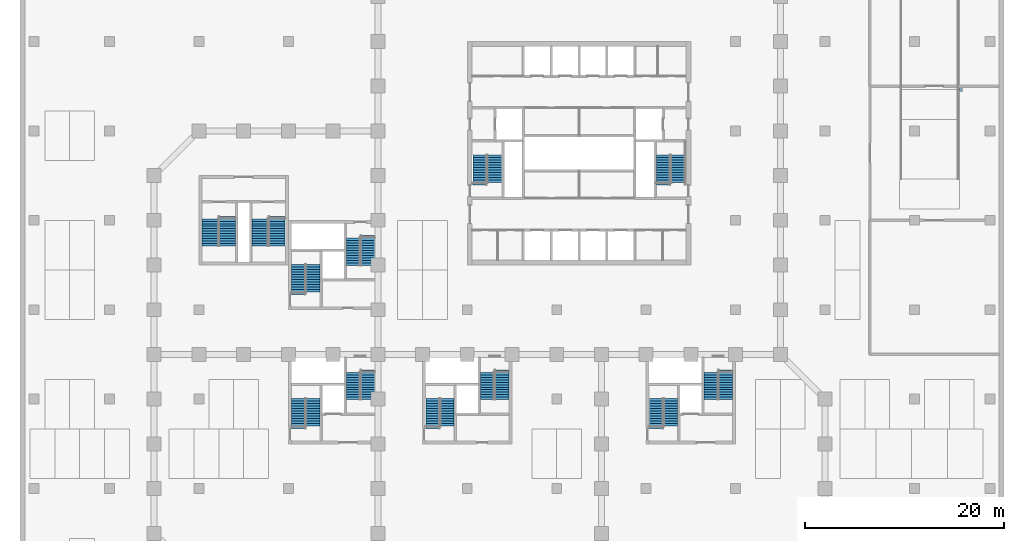
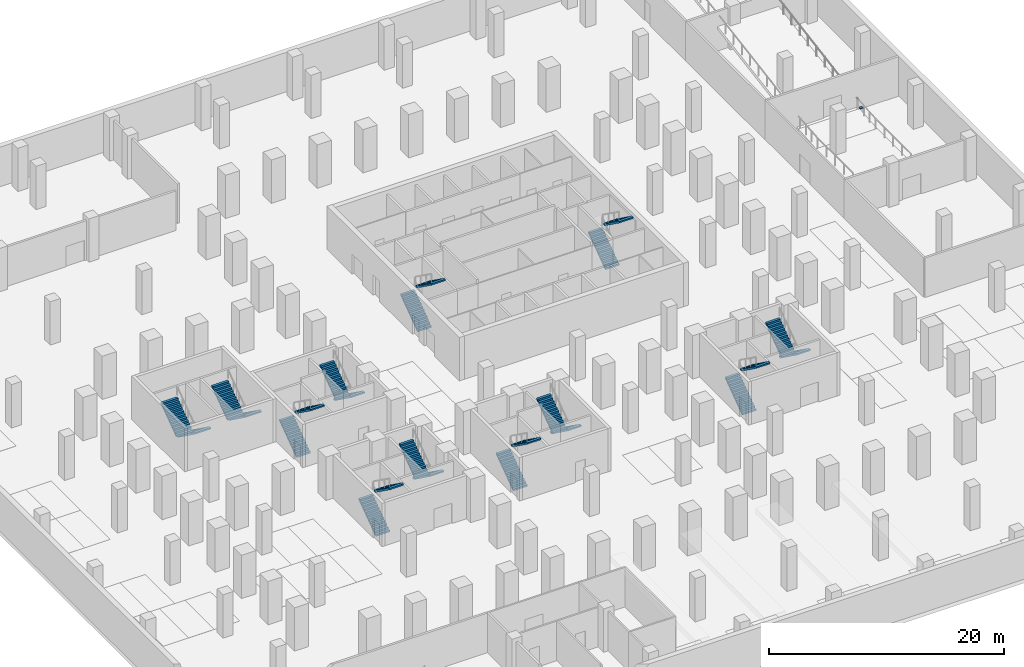
# One storey, part 14 of 16: 24 stair flights, 1 discrete accessory, 12 elements without a shape of their own.
"""IFC4 building model written with IfcOpenShell, lengths in metres."""

from ifc_helpers import new_model, si_unit, direction, frame, origin, origin_2d, place, context, subcontext, project, spatial, polyline, rectangle, outline, extrude, material, type_object, element, aggregate, save


model = new_model("IFC4")

# Units and contexts
model_context = context("Model", 3, precision=1e-05, world=origin(), true_north=direction((0.0, 1.0)))
body_context = subcontext(model_context, "Body", "Model", "MODEL_VIEW")
ifc_project = project(units=[si_unit("LENGTHUNIT", "METRE"), si_unit("AREAUNIT", "SQUARE_METRE"), si_unit("VOLUMEUNIT", "CUBIC_METRE"), si_unit("PLANEANGLEUNIT", "RADIAN"), si_unit("MASSUNIT", "GRAM", prefix="KILO")], contexts=[model_context])

# Site, building, storey
site_placement = place(None, origin())
site = spatial("IfcSite", under=ifc_project, at=site_placement, CompositionType="ELEMENT")
building_placement = place(site_placement, origin())
building = spatial("IfcBuilding", under=site, at=building_placement, Name="Quoin Convention Tower", CompositionType="ELEMENT")
storey_placement = place(building_placement, frame((0.0, 0.0, -4.5)))
storey = spatial("IfcBuildingStorey", under=building, at=storey_placement, Name="B1", CompositionType="ELEMENT", Elevation=-4.5)

# Stair, stair flights
ifc_material_1 = material(Name="Concrete C40", Category="concrete")
stair_type_1 = type_object("IfcStairType", Name="Exit stair two-flight 1350", PredefinedType="HALF_TURN_STAIR", material=ifc_material_1)
stair_1_placement = place(storey_placement, origin())
stair_1 = element("IfcStair", 1, at=stair_1_placement, inside=storey, type_object=stair_type_1, Name="SD1 B1", PredefinedType="HALF_TURN_STAIR")
stair_flight_type_1 = type_object("IfcStairFlightType", Name="Stair flight 1350", PredefinedType="STRAIGHT", material=ifc_material_1)
stair_flight_1_placement = place(storey_placement, frame((46.25, 57.550048828125, 0.0), z_axis=(0.0, 0.0, 1.0), x_axis=(0.0, 1.0, 0.0)))
stair_flight_1 = element("IfcStairFlight", 2, at=stair_flight_1_placement, type_object=stair_flight_type_1, Name="ST1 flight 1", NumberOfRisers=13, NumberOfTreads=12, PredefinedType="STRAIGHT", RiserHeight=0.18, TreadLength=0.25, context=body_context, shape_type="SweptSolid", body=[
    extrude(outline(polyline([(0.0, 0.0), (0.0, 0.179931640625), (0.25, 0.179931640625), (0.25, 0.360107421875), (0.5, 0.360107421875), (0.5, 0.5400390625), (0.75, 0.5400390625), (0.75, 0.719970703125), (1.0, 0.719970703125), (1.0, 0.89990234375), (1.25, 0.89990234375), (1.25, 1.080078125), (1.5, 1.080078125), (1.5, 1.260009765625), (1.75, 1.260009765625), (1.75, 1.43994140625), (2.0, 1.43994140625), (2.0, 1.6201171875), (2.25, 1.6201171875), (2.25, 1.800048828125), (2.5, 1.800048828125), (2.5, 1.97998046875), (2.75, 1.97998046875), (2.75, 2.159912109375), (3.0, 2.159912109375), (3.0, 2.340087890625), (3.0, 2.011962890625), (0.20556640625, 0.0), (0.0, 0.0)])), frame((0.0, 0.675048828125, 0.0), z_axis=(0.0, -1.0, 0.0), x_axis=(1.0, 0.0, 0.0)), (0.0, 0.0, 1.0), 1.35009765625),
])
stair_flight_2_placement = place(storey_placement, frame((47.75, 60.550048828125, 2.340087890625), z_axis=(0.0, 0.0, 1.0), x_axis=(0.0, -1.0, 0.0)))
stair_flight_2 = element("IfcStairFlight", 3, at=stair_flight_2_placement, type_object=stair_flight_type_1, Name="ST1 flight 2", NumberOfRisers=12, NumberOfTreads=11, PredefinedType="STRAIGHT", RiserHeight=0.18, TreadLength=0.25, context=body_context, shape_type="SweptSolid", body=[
    extrude(outline(polyline([(0.0, 0.0), (0.0, 0.179931640625), (0.25, 0.179931640625), (0.25, 0.360107421875), (0.5, 0.360107421875), (0.5, 0.5400390625), (0.75, 0.5400390625), (0.75, 0.719970703125), (1.0, 0.719970703125), (1.0, 0.89990234375), (1.25, 0.89990234375), (1.25, 1.080078125), (1.5, 1.080078125), (1.5, 1.260009765625), (1.75, 1.260009765625), (1.75, 1.43994140625), (2.0, 1.43994140625), (2.0, 1.6201171875), (2.25, 1.6201171875), (2.25, 1.800048828125), (2.5, 1.800048828125), (2.5, 1.97998046875), (2.75, 1.97998046875), (2.75, 2.159912109375), (2.75, 1.83203125), (0.20556640625, 0.0), (0.0, 0.0)])), frame((0.0, 0.675048828125, 0.0), z_axis=(0.0, -1.0, 0.0), x_axis=(1.0, 0.0, 0.0)), (0.0, 0.0, 1.0), 1.35009765625),
])
aggregate(stair_1, [stair_flight_1, stair_flight_2])

stair_2_placement = place(storey_placement, origin())
stair_2 = element("IfcStair", 4, at=stair_2_placement, inside=storey, type_object=stair_type_1, Name="SD2 B1", PredefinedType="HALF_TURN_STAIR")
stair_flight_3_placement = place(storey_placement, frame((64.699951171875, 57.550048828125, 0.0), z_axis=(0.0, 0.0, 1.0), x_axis=(0.0, 1.0, 0.0)))
stair_flight_3 = element("IfcStairFlight", 5, at=stair_flight_3_placement, type_object=stair_flight_type_1, Name="ST2 flight 1", NumberOfRisers=13, NumberOfTreads=12, PredefinedType="STRAIGHT", RiserHeight=0.18, TreadLength=0.25, context=body_context, shape_type="SweptSolid", body=[
    extrude(outline(polyline([(0.0, 0.0), (0.0, 0.179931640625), (0.25, 0.179931640625), (0.25, 0.360107421875), (0.5, 0.360107421875), (0.5, 0.5400390625), (0.75, 0.5400390625), (0.75, 0.719970703125), (1.0, 0.719970703125), (1.0, 0.89990234375), (1.25, 0.89990234375), (1.25, 1.080078125), (1.5, 1.080078125), (1.5, 1.260009765625), (1.75, 1.260009765625), (1.75, 1.43994140625), (2.0, 1.43994140625), (2.0, 1.6201171875), (2.25, 1.6201171875), (2.25, 1.800048828125), (2.5, 1.800048828125), (2.5, 1.97998046875), (2.75, 1.97998046875), (2.75, 2.159912109375), (3.0, 2.159912109375), (3.0, 2.340087890625), (3.0, 2.011962890625), (0.20556640625, 0.0), (0.0, 0.0)])), frame((0.0, 0.675048828125, 0.0), z_axis=(0.0, -1.0, 0.0), x_axis=(1.0, 0.0, 0.0)), (0.0, 0.0, 1.0), 1.35009765625),
])
stair_flight_4_placement = place(storey_placement, frame((66.199951171875, 60.550048828125, 2.340087890625), z_axis=(0.0, 0.0, 1.0), x_axis=(0.0, -1.0, 0.0)))
stair_flight_4 = element("IfcStairFlight", 6, at=stair_flight_4_placement, type_object=stair_flight_type_1, Name="ST2 flight 2", NumberOfRisers=12, NumberOfTreads=11, PredefinedType="STRAIGHT", RiserHeight=0.18, TreadLength=0.25, context=body_context, shape_type="SweptSolid", body=[
    extrude(outline(polyline([(0.0, 0.0), (0.0, 0.179931640625), (0.25, 0.179931640625), (0.25, 0.360107421875), (0.5, 0.360107421875), (0.5, 0.5400390625), (0.75, 0.5400390625), (0.75, 0.719970703125), (1.0, 0.719970703125), (1.0, 0.89990234375), (1.25, 0.89990234375), (1.25, 1.080078125), (1.5, 1.080078125), (1.5, 1.260009765625), (1.75, 1.260009765625), (1.75, 1.43994140625), (2.0, 1.43994140625), (2.0, 1.6201171875), (2.25, 1.6201171875), (2.25, 1.800048828125), (2.5, 1.800048828125), (2.5, 1.97998046875), (2.75, 1.97998046875), (2.75, 2.159912109375), (2.75, 1.83203125), (0.20556640625, 0.0), (0.0, 0.0)])), frame((0.0, 0.675048828125, 0.0), z_axis=(0.0, -1.0, 0.0), x_axis=(1.0, 0.0, 0.0)), (0.0, 0.0, 1.0), 1.35009765625),
])
aggregate(stair_2, [stair_flight_3, stair_flight_4])

stair_3_placement = place(storey_placement, origin())
stair_3 = element("IfcStair", 7, at=stair_3_placement, inside=storey, type_object=stair_type_1, Name="SD3 B1", PredefinedType="HALF_TURN_STAIR")
stair_flight_5_placement = place(storey_placement, frame((28.0, 46.550048828125, 0.0), z_axis=(0.0, 0.0, 1.0), x_axis=(0.0, 1.0, 0.0)))
stair_flight_5 = element("IfcStairFlight", 8, at=stair_flight_5_placement, type_object=stair_flight_type_1, Name="ST3 flight 1", NumberOfRisers=13, NumberOfTreads=12, PredefinedType="STRAIGHT", RiserHeight=0.18, TreadLength=0.25, context=body_context, shape_type="SweptSolid", body=[
    extrude(outline(polyline([(0.0, 0.0), (0.0, 0.179931640625), (0.25, 0.179931640625), (0.25, 0.360107421875), (0.5, 0.360107421875), (0.5, 0.5400390625), (0.75, 0.5400390625), (0.75, 0.719970703125), (1.0, 0.719970703125), (1.0, 0.89990234375), (1.25, 0.89990234375), (1.25, 1.080078125), (1.5, 1.080078125), (1.5, 1.260009765625), (1.75, 1.260009765625), (1.75, 1.43994140625), (2.0, 1.43994140625), (2.0, 1.6201171875), (2.25, 1.6201171875), (2.25, 1.800048828125), (2.5, 1.800048828125), (2.5, 1.97998046875), (2.75, 1.97998046875), (2.75, 2.159912109375), (3.0, 2.159912109375), (3.0, 2.340087890625), (3.0, 2.011962890625), (0.20556640625, 0.0), (0.0, 0.0)])), frame((0.0, 0.675048828125, 0.0), z_axis=(0.0, -1.0, 0.0), x_axis=(1.0, 0.0, 0.0)), (0.0, 0.0, 1.0), 1.35009765625),
])
stair_flight_6_placement = place(storey_placement, frame((29.5, 49.550048828125, 2.340087890625), z_axis=(0.0, 0.0, 1.0), x_axis=(0.0, -1.0, 0.0)))
stair_flight_6 = element("IfcStairFlight", 9, at=stair_flight_6_placement, type_object=stair_flight_type_1, Name="ST3 flight 2", NumberOfRisers=12, NumberOfTreads=11, PredefinedType="STRAIGHT", RiserHeight=0.18, TreadLength=0.25, context=body_context, shape_type="SweptSolid", body=[
    extrude(outline(polyline([(0.0, 0.0), (0.0, 0.179931640625), (0.25, 0.179931640625), (0.25, 0.360107421875), (0.5, 0.360107421875), (0.5, 0.5400390625), (0.75, 0.5400390625), (0.75, 0.719970703125), (1.0, 0.719970703125), (1.0, 0.89990234375), (1.25, 0.89990234375), (1.25, 1.080078125), (1.5, 1.080078125), (1.5, 1.260009765625), (1.75, 1.260009765625), (1.75, 1.43994140625), (2.0, 1.43994140625), (2.0, 1.6201171875), (2.25, 1.6201171875), (2.25, 1.800048828125), (2.5, 1.800048828125), (2.5, 1.97998046875), (2.75, 1.97998046875), (2.75, 2.159912109375), (2.75, 1.83203125), (0.20556640625, 0.0), (0.0, 0.0)])), frame((0.0, 0.675048828125, 0.0), z_axis=(0.0, -1.0, 0.0), x_axis=(1.0, 0.0, 0.0)), (0.0, 0.0, 1.0), 1.35009765625),
])
aggregate(stair_3, [stair_flight_5, stair_flight_6])

stair_4_placement = place(storey_placement, origin())
stair_4 = element("IfcStair", 10, at=stair_4_placement, inside=storey, type_object=stair_type_1, Name="SD4 B1", PredefinedType="HALF_TURN_STAIR")
stair_flight_7_placement = place(storey_placement, frame((35.0, 52.449951171875, 0.0), z_axis=(0.0, 0.0, 1.0), x_axis=(0.0, -1.0, 0.0)))
stair_flight_7 = element("IfcStairFlight", 11, at=stair_flight_7_placement, type_object=stair_flight_type_1, Name="ST4 flight 1", NumberOfRisers=13, NumberOfTreads=12, PredefinedType="STRAIGHT", RiserHeight=0.18, TreadLength=0.25, context=body_context, shape_type="SweptSolid", body=[
    extrude(outline(polyline([(0.0, 0.0), (0.0, 0.179931640625), (0.25, 0.179931640625), (0.25, 0.360107421875), (0.5, 0.360107421875), (0.5, 0.5400390625), (0.75, 0.5400390625), (0.75, 0.719970703125), (1.0, 0.719970703125), (1.0, 0.89990234375), (1.25, 0.89990234375), (1.25, 1.080078125), (1.5, 1.080078125), (1.5, 1.260009765625), (1.75, 1.260009765625), (1.75, 1.43994140625), (2.0, 1.43994140625), (2.0, 1.6201171875), (2.25, 1.6201171875), (2.25, 1.800048828125), (2.5, 1.800048828125), (2.5, 1.97998046875), (2.75, 1.97998046875), (2.75, 2.159912109375), (3.0, 2.159912109375), (3.0, 2.340087890625), (3.0, 2.011962890625), (0.20556640625, 0.0), (0.0, 0.0)])), frame((0.0, 0.675048828125, 0.0), z_axis=(0.0, -1.0, 0.0), x_axis=(1.0, 0.0, 0.0)), (0.0, 0.0, 1.0), 1.35009765625),
])
stair_flight_8_placement = place(storey_placement, frame((33.5, 49.449951171875, 2.340087890625), z_axis=(0.0, 0.0, 1.0), x_axis=(0.0, 1.0, 0.0)))
stair_flight_8 = element("IfcStairFlight", 12, at=stair_flight_8_placement, type_object=stair_flight_type_1, Name="ST4 flight 2", NumberOfRisers=12, NumberOfTreads=11, PredefinedType="STRAIGHT", RiserHeight=0.18, TreadLength=0.25, context=body_context, shape_type="SweptSolid", body=[
    extrude(outline(polyline([(0.0, 0.0), (0.0, 0.179931640625), (0.25, 0.179931640625), (0.25, 0.360107421875), (0.5, 0.360107421875), (0.5, 0.5400390625), (0.75, 0.5400390625), (0.75, 0.719970703125), (1.0, 0.719970703125), (1.0, 0.89990234375), (1.25, 0.89990234375), (1.25, 1.080078125), (1.5, 1.080078125), (1.5, 1.260009765625), (1.75, 1.260009765625), (1.75, 1.43994140625), (2.0, 1.43994140625), (2.0, 1.6201171875), (2.25, 1.6201171875), (2.25, 1.800048828125), (2.5, 1.800048828125), (2.5, 1.97998046875), (2.75, 1.97998046875), (2.75, 2.159912109375), (2.75, 1.83203125), (0.20556640625, 0.0), (0.0, 0.0)])), frame((0.0, 0.675048828125, 0.0), z_axis=(0.0, -1.0, 0.0), x_axis=(1.0, 0.0, 0.0)), (0.0, 0.0, 1.0), 1.35009765625),
])
aggregate(stair_4, [stair_flight_7, stair_flight_8])

stair_5_placement = place(storey_placement, origin())
stair_5 = element("IfcStair", 13, at=stair_5_placement, inside=storey, type_object=stair_type_1, Name="SD5 B1", PredefinedType="HALF_TURN_STAIR")
stair_flight_9_placement = place(storey_placement, frame((41.5, 33.050048828125, 0.0), z_axis=(0.0, 0.0, 1.0), x_axis=(0.0, 1.0, 0.0)))
stair_flight_9 = element("IfcStairFlight", 14, at=stair_flight_9_placement, type_object=stair_flight_type_1, Name="ST5 flight 1", NumberOfRisers=13, NumberOfTreads=12, PredefinedType="STRAIGHT", RiserHeight=0.18, TreadLength=0.25, context=body_context, shape_type="SweptSolid", body=[
    extrude(outline(polyline([(0.0, 0.0), (0.0, 0.179931640625), (0.25, 0.179931640625), (0.25, 0.360107421875), (0.5, 0.360107421875), (0.5, 0.5400390625), (0.75, 0.5400390625), (0.75, 0.719970703125), (1.0, 0.719970703125), (1.0, 0.89990234375), (1.25, 0.89990234375), (1.25, 1.080078125), (1.5, 1.080078125), (1.5, 1.260009765625), (1.75, 1.260009765625), (1.75, 1.43994140625), (2.0, 1.43994140625), (2.0, 1.6201171875), (2.25, 1.6201171875), (2.25, 1.800048828125), (2.5, 1.800048828125), (2.5, 1.97998046875), (2.75, 1.97998046875), (2.75, 2.159912109375), (3.0, 2.159912109375), (3.0, 2.340087890625), (3.0, 2.011962890625), (0.20556640625, 0.0), (0.0, 0.0)])), frame((0.0, 0.675048828125, 0.0), z_axis=(0.0, -1.0, 0.0), x_axis=(1.0, 0.0, 0.0)), (0.0, 0.0, 1.0), 1.35009765625),
])
stair_flight_10_placement = place(storey_placement, frame((43.0, 36.050048828125, 2.340087890625), z_axis=(0.0, 0.0, 1.0), x_axis=(0.0, -1.0, 0.0)))
stair_flight_10 = element("IfcStairFlight", 15, at=stair_flight_10_placement, type_object=stair_flight_type_1, Name="ST5 flight 2", NumberOfRisers=12, NumberOfTreads=11, PredefinedType="STRAIGHT", RiserHeight=0.18, TreadLength=0.25, context=body_context, shape_type="SweptSolid", body=[
    extrude(outline(polyline([(0.0, 0.0), (0.0, 0.179931640625), (0.25, 0.179931640625), (0.25, 0.360107421875), (0.5, 0.360107421875), (0.5, 0.5400390625), (0.75, 0.5400390625), (0.75, 0.719970703125), (1.0, 0.719970703125), (1.0, 0.89990234375), (1.25, 0.89990234375), (1.25, 1.080078125), (1.5, 1.080078125), (1.5, 1.260009765625), (1.75, 1.260009765625), (1.75, 1.43994140625), (2.0, 1.43994140625), (2.0, 1.6201171875), (2.25, 1.6201171875), (2.25, 1.800048828125), (2.5, 1.800048828125), (2.5, 1.97998046875), (2.75, 1.97998046875), (2.75, 2.159912109375), (2.75, 1.83203125), (0.20556640625, 0.0), (0.0, 0.0)])), frame((0.0, 0.675048828125, 0.0), z_axis=(0.0, -1.0, 0.0), x_axis=(1.0, 0.0, 0.0)), (0.0, 0.0, 1.0), 1.35009765625),
])
aggregate(stair_5, [stair_flight_9, stair_flight_10])

stair_6_placement = place(storey_placement, origin())
stair_6 = element("IfcStair", 16, at=stair_6_placement, inside=storey, type_object=stair_type_1, Name="SD6 B1", PredefinedType="HALF_TURN_STAIR")
stair_flight_11_placement = place(storey_placement, frame((48.5, 38.949951171875, 0.0), z_axis=(0.0, 0.0, 1.0), x_axis=(0.0, -1.0, 0.0)))
stair_flight_11 = element("IfcStairFlight", 17, at=stair_flight_11_placement, type_object=stair_flight_type_1, Name="ST6 flight 1", NumberOfRisers=13, NumberOfTreads=12, PredefinedType="STRAIGHT", RiserHeight=0.18, TreadLength=0.25, context=body_context, shape_type="SweptSolid", body=[
    extrude(outline(polyline([(0.0, 0.0), (0.0, 0.179931640625), (0.25, 0.179931640625), (0.25, 0.360107421875), (0.5, 0.360107421875), (0.5, 0.5400390625), (0.75, 0.5400390625), (0.75, 0.719970703125), (1.0, 0.719970703125), (1.0, 0.89990234375), (1.25, 0.89990234375), (1.25, 1.080078125), (1.5, 1.080078125), (1.5, 1.260009765625), (1.75, 1.260009765625), (1.75, 1.43994140625), (2.0, 1.43994140625), (2.0, 1.6201171875), (2.25, 1.6201171875), (2.25, 1.800048828125), (2.5, 1.800048828125), (2.5, 1.97998046875), (2.75, 1.97998046875), (2.75, 2.159912109375), (3.0, 2.159912109375), (3.0, 2.340087890625), (3.0, 2.011962890625), (0.20556640625, 0.0), (0.0, 0.0)])), frame((0.0, 0.675048828125, 0.0), z_axis=(0.0, -1.0, 0.0), x_axis=(1.0, 0.0, 0.0)), (0.0, 0.0, 1.0), 1.35009765625),
])
stair_flight_12_placement = place(storey_placement, frame((47.0, 35.949951171875, 2.340087890625), z_axis=(0.0, 0.0, 1.0), x_axis=(0.0, 1.0, 0.0)))
stair_flight_12 = element("IfcStairFlight", 18, at=stair_flight_12_placement, type_object=stair_flight_type_1, Name="ST6 flight 2", NumberOfRisers=12, NumberOfTreads=11, PredefinedType="STRAIGHT", RiserHeight=0.18, TreadLength=0.25, context=body_context, shape_type="SweptSolid", body=[
    extrude(outline(polyline([(0.0, 0.0), (0.0, 0.179931640625), (0.25, 0.179931640625), (0.25, 0.360107421875), (0.5, 0.360107421875), (0.5, 0.5400390625), (0.75, 0.5400390625), (0.75, 0.719970703125), (1.0, 0.719970703125), (1.0, 0.89990234375), (1.25, 0.89990234375), (1.25, 1.080078125), (1.5, 1.080078125), (1.5, 1.260009765625), (1.75, 1.260009765625), (1.75, 1.43994140625), (2.0, 1.43994140625), (2.0, 1.6201171875), (2.25, 1.6201171875), (2.25, 1.800048828125), (2.5, 1.800048828125), (2.5, 1.97998046875), (2.75, 1.97998046875), (2.75, 2.159912109375), (2.75, 1.83203125), (0.20556640625, 0.0), (0.0, 0.0)])), frame((0.0, 0.675048828125, 0.0), z_axis=(0.0, -1.0, 0.0), x_axis=(1.0, 0.0, 0.0)), (0.0, 0.0, 1.0), 1.35009765625),
])
aggregate(stair_6, [stair_flight_11, stair_flight_12])

stair_7_placement = place(storey_placement, origin())
stair_7 = element("IfcStair", 19, at=stair_7_placement, inside=storey, type_object=stair_type_1, Name="SD7 B1", PredefinedType="HALF_TURN_STAIR")
stair_flight_13_placement = place(storey_placement, frame((28.0, 33.050048828125, 0.0), z_axis=(0.0, 0.0, 1.0), x_axis=(0.0, 1.0, 0.0)))
stair_flight_13 = element("IfcStairFlight", 20, at=stair_flight_13_placement, type_object=stair_flight_type_1, Name="ST7 flight 1", NumberOfRisers=13, NumberOfTreads=12, PredefinedType="STRAIGHT", RiserHeight=0.18, TreadLength=0.25, context=body_context, shape_type="SweptSolid", body=[
    extrude(outline(polyline([(0.0, 0.0), (0.0, 0.179931640625), (0.25, 0.179931640625), (0.25, 0.360107421875), (0.5, 0.360107421875), (0.5, 0.5400390625), (0.75, 0.5400390625), (0.75, 0.719970703125), (1.0, 0.719970703125), (1.0, 0.89990234375), (1.25, 0.89990234375), (1.25, 1.080078125), (1.5, 1.080078125), (1.5, 1.260009765625), (1.75, 1.260009765625), (1.75, 1.43994140625), (2.0, 1.43994140625), (2.0, 1.6201171875), (2.25, 1.6201171875), (2.25, 1.800048828125), (2.5, 1.800048828125), (2.5, 1.97998046875), (2.75, 1.97998046875), (2.75, 2.159912109375), (3.0, 2.159912109375), (3.0, 2.340087890625), (3.0, 2.011962890625), (0.20556640625, 0.0), (0.0, 0.0)])), frame((0.0, 0.675048828125, 0.0), z_axis=(0.0, -1.0, 0.0), x_axis=(1.0, 0.0, 0.0)), (0.0, 0.0, 1.0), 1.35009765625),
])
stair_flight_14_placement = place(storey_placement, frame((29.5, 36.050048828125, 2.340087890625), z_axis=(0.0, 0.0, 1.0), x_axis=(0.0, -1.0, 0.0)))
stair_flight_14 = element("IfcStairFlight", 21, at=stair_flight_14_placement, type_object=stair_flight_type_1, Name="ST7 flight 2", NumberOfRisers=12, NumberOfTreads=11, PredefinedType="STRAIGHT", RiserHeight=0.18, TreadLength=0.25, context=body_context, shape_type="SweptSolid", body=[
    extrude(outline(polyline([(0.0, 0.0), (0.0, 0.179931640625), (0.25, 0.179931640625), (0.25, 0.360107421875), (0.5, 0.360107421875), (0.5, 0.5400390625), (0.75, 0.5400390625), (0.75, 0.719970703125), (1.0, 0.719970703125), (1.0, 0.89990234375), (1.25, 0.89990234375), (1.25, 1.080078125), (1.5, 1.080078125), (1.5, 1.260009765625), (1.75, 1.260009765625), (1.75, 1.43994140625), (2.0, 1.43994140625), (2.0, 1.6201171875), (2.25, 1.6201171875), (2.25, 1.800048828125), (2.5, 1.800048828125), (2.5, 1.97998046875), (2.75, 1.97998046875), (2.75, 2.159912109375), (2.75, 1.83203125), (0.20556640625, 0.0), (0.0, 0.0)])), frame((0.0, 0.675048828125, 0.0), z_axis=(0.0, -1.0, 0.0), x_axis=(1.0, 0.0, 0.0)), (0.0, 0.0, 1.0), 1.35009765625),
])
aggregate(stair_7, [stair_flight_13, stair_flight_14])

stair_8_placement = place(storey_placement, origin())
stair_8 = element("IfcStair", 22, at=stair_8_placement, inside=storey, type_object=stair_type_1, Name="SD8 B1", PredefinedType="HALF_TURN_STAIR")
stair_flight_15_placement = place(storey_placement, frame((35.0, 38.949951171875, 0.0), z_axis=(0.0, 0.0, 1.0), x_axis=(0.0, -1.0, 0.0)))
stair_flight_15 = element("IfcStairFlight", 23, at=stair_flight_15_placement, type_object=stair_flight_type_1, Name="ST8 flight 1", NumberOfRisers=13, NumberOfTreads=12, PredefinedType="STRAIGHT", RiserHeight=0.18, TreadLength=0.25, context=body_context, shape_type="SweptSolid", body=[
    extrude(outline(polyline([(0.0, 0.0), (0.0, 0.179931640625), (0.25, 0.179931640625), (0.25, 0.360107421875), (0.5, 0.360107421875), (0.5, 0.5400390625), (0.75, 0.5400390625), (0.75, 0.719970703125), (1.0, 0.719970703125), (1.0, 0.89990234375), (1.25, 0.89990234375), (1.25, 1.080078125), (1.5, 1.080078125), (1.5, 1.260009765625), (1.75, 1.260009765625), (1.75, 1.43994140625), (2.0, 1.43994140625), (2.0, 1.6201171875), (2.25, 1.6201171875), (2.25, 1.800048828125), (2.5, 1.800048828125), (2.5, 1.97998046875), (2.75, 1.97998046875), (2.75, 2.159912109375), (3.0, 2.159912109375), (3.0, 2.340087890625), (3.0, 2.011962890625), (0.20556640625, 0.0), (0.0, 0.0)])), frame((0.0, 0.675048828125, 0.0), z_axis=(0.0, -1.0, 0.0), x_axis=(1.0, 0.0, 0.0)), (0.0, 0.0, 1.0), 1.35009765625),
])
stair_flight_16_placement = place(storey_placement, frame((33.5, 35.949951171875, 2.340087890625), z_axis=(0.0, 0.0, 1.0), x_axis=(0.0, 1.0, 0.0)))
stair_flight_16 = element("IfcStairFlight", 24, at=stair_flight_16_placement, type_object=stair_flight_type_1, Name="ST8 flight 2", NumberOfRisers=12, NumberOfTreads=11, PredefinedType="STRAIGHT", RiserHeight=0.18, TreadLength=0.25, context=body_context, shape_type="SweptSolid", body=[
    extrude(outline(polyline([(0.0, 0.0), (0.0, 0.179931640625), (0.25, 0.179931640625), (0.25, 0.360107421875), (0.5, 0.360107421875), (0.5, 0.5400390625), (0.75, 0.5400390625), (0.75, 0.719970703125), (1.0, 0.719970703125), (1.0, 0.89990234375), (1.25, 0.89990234375), (1.25, 1.080078125), (1.5, 1.080078125), (1.5, 1.260009765625), (1.75, 1.260009765625), (1.75, 1.43994140625), (2.0, 1.43994140625), (2.0, 1.6201171875), (2.25, 1.6201171875), (2.25, 1.800048828125), (2.5, 1.800048828125), (2.5, 1.97998046875), (2.75, 1.97998046875), (2.75, 2.159912109375), (2.75, 1.83203125), (0.20556640625, 0.0), (0.0, 0.0)])), frame((0.0, 0.675048828125, 0.0), z_axis=(0.0, -1.0, 0.0), x_axis=(1.0, 0.0, 0.0)), (0.0, 0.0, 1.0), 1.35009765625),
])
aggregate(stair_8, [stair_flight_15, stair_flight_16])

stair_9_placement = place(storey_placement, origin())
stair_9 = element("IfcStair", 25, at=stair_9_placement, inside=storey, type_object=stair_type_1, Name="SD9 B1", PredefinedType="HALF_TURN_STAIR")
stair_flight_17_placement = place(storey_placement, frame((64.0, 33.050048828125, 0.0), z_axis=(0.0, 0.0, 1.0), x_axis=(0.0, 1.0, 0.0)))
stair_flight_17 = element("IfcStairFlight", 26, at=stair_flight_17_placement, type_object=stair_flight_type_1, Name="ST9 flight 1", NumberOfRisers=13, NumberOfTreads=12, PredefinedType="STRAIGHT", RiserHeight=0.18, TreadLength=0.25, context=body_context, shape_type="SweptSolid", body=[
    extrude(outline(polyline([(0.0, 0.0), (0.0, 0.179931640625), (0.25, 0.179931640625), (0.25, 0.360107421875), (0.5, 0.360107421875), (0.5, 0.5400390625), (0.75, 0.5400390625), (0.75, 0.719970703125), (1.0, 0.719970703125), (1.0, 0.89990234375), (1.25, 0.89990234375), (1.25, 1.080078125), (1.5, 1.080078125), (1.5, 1.260009765625), (1.75, 1.260009765625), (1.75, 1.43994140625), (2.0, 1.43994140625), (2.0, 1.6201171875), (2.25, 1.6201171875), (2.25, 1.800048828125), (2.5, 1.800048828125), (2.5, 1.97998046875), (2.75, 1.97998046875), (2.75, 2.159912109375), (3.0, 2.159912109375), (3.0, 2.340087890625), (3.0, 2.011962890625), (0.20556640625, 0.0), (0.0, 0.0)])), frame((0.0, 0.675048828125, 0.0), z_axis=(0.0, -1.0, 0.0), x_axis=(1.0, 0.0, 0.0)), (0.0, 0.0, 1.0), 1.35009765625),
])
stair_flight_18_placement = place(storey_placement, frame((65.5, 36.050048828125, 2.340087890625), z_axis=(0.0, 0.0, 1.0), x_axis=(0.0, -1.0, 0.0)))
stair_flight_18 = element("IfcStairFlight", 27, at=stair_flight_18_placement, type_object=stair_flight_type_1, Name="ST9 flight 2", NumberOfRisers=12, NumberOfTreads=11, PredefinedType="STRAIGHT", RiserHeight=0.18, TreadLength=0.25, context=body_context, shape_type="SweptSolid", body=[
    extrude(outline(polyline([(0.0, 0.0), (0.0, 0.179931640625), (0.25, 0.179931640625), (0.25, 0.360107421875), (0.5, 0.360107421875), (0.5, 0.5400390625), (0.75, 0.5400390625), (0.75, 0.719970703125), (1.0, 0.719970703125), (1.0, 0.89990234375), (1.25, 0.89990234375), (1.25, 1.080078125), (1.5, 1.080078125), (1.5, 1.260009765625), (1.75, 1.260009765625), (1.75, 1.43994140625), (2.0, 1.43994140625), (2.0, 1.6201171875), (2.25, 1.6201171875), (2.25, 1.800048828125), (2.5, 1.800048828125), (2.5, 1.97998046875), (2.75, 1.97998046875), (2.75, 2.159912109375), (2.75, 1.83203125), (0.20556640625, 0.0), (0.0, 0.0)])), frame((0.0, 0.675048828125, 0.0), z_axis=(0.0, -1.0, 0.0), x_axis=(1.0, 0.0, 0.0)), (0.0, 0.0, 1.0), 1.35009765625),
])
aggregate(stair_9, [stair_flight_17, stair_flight_18])

stair_10_placement = place(storey_placement, origin())
stair_10 = element("IfcStair", 28, at=stair_10_placement, inside=storey, type_object=stair_type_1, Name="SD10 B1", PredefinedType="HALF_TURN_STAIR")
stair_flight_19_placement = place(storey_placement, frame((71.0, 38.949951171875, 0.0), z_axis=(0.0, 0.0, 1.0), x_axis=(0.0, -1.0, 0.0)))
stair_flight_19 = element("IfcStairFlight", 29, at=stair_flight_19_placement, type_object=stair_flight_type_1, Name="ST10 flight 1", NumberOfRisers=13, NumberOfTreads=12, PredefinedType="STRAIGHT", RiserHeight=0.18, TreadLength=0.25, context=body_context, shape_type="SweptSolid", body=[
    extrude(outline(polyline([(0.0, 0.0), (0.0, 0.179931640625), (0.25, 0.179931640625), (0.25, 0.360107421875), (0.5, 0.360107421875), (0.5, 0.5400390625), (0.75, 0.5400390625), (0.75, 0.719970703125), (1.0, 0.719970703125), (1.0, 0.89990234375), (1.25, 0.89990234375), (1.25, 1.080078125), (1.5, 1.080078125), (1.5, 1.260009765625), (1.75, 1.260009765625), (1.75, 1.43994140625), (2.0, 1.43994140625), (2.0, 1.6201171875), (2.25, 1.6201171875), (2.25, 1.800048828125), (2.5, 1.800048828125), (2.5, 1.97998046875), (2.75, 1.97998046875), (2.75, 2.159912109375), (3.0, 2.159912109375), (3.0, 2.340087890625), (3.0, 2.011962890625), (0.20556640625, 0.0), (0.0, 0.0)])), frame((0.0, 0.675048828125, 0.0), z_axis=(0.0, -1.0, 0.0), x_axis=(1.0, 0.0, 0.0)), (0.0, 0.0, 1.0), 1.35009765625),
])
stair_flight_20_placement = place(storey_placement, frame((69.5, 35.949951171875, 2.340087890625), z_axis=(0.0, 0.0, 1.0), x_axis=(0.0, 1.0, 0.0)))
stair_flight_20 = element("IfcStairFlight", 30, at=stair_flight_20_placement, type_object=stair_flight_type_1, Name="ST10 flight 2", NumberOfRisers=12, NumberOfTreads=11, PredefinedType="STRAIGHT", RiserHeight=0.18, TreadLength=0.25, context=body_context, shape_type="SweptSolid", body=[
    extrude(outline(polyline([(0.0, 0.0), (0.0, 0.179931640625), (0.25, 0.179931640625), (0.25, 0.360107421875), (0.5, 0.360107421875), (0.5, 0.5400390625), (0.75, 0.5400390625), (0.75, 0.719970703125), (1.0, 0.719970703125), (1.0, 0.89990234375), (1.25, 0.89990234375), (1.25, 1.080078125), (1.5, 1.080078125), (1.5, 1.260009765625), (1.75, 1.260009765625), (1.75, 1.43994140625), (2.0, 1.43994140625), (2.0, 1.6201171875), (2.25, 1.6201171875), (2.25, 1.800048828125), (2.5, 1.800048828125), (2.5, 1.97998046875), (2.75, 1.97998046875), (2.75, 2.159912109375), (2.75, 1.83203125), (0.20556640625, 0.0), (0.0, 0.0)])), frame((0.0, 0.675048828125, 0.0), z_axis=(0.0, -1.0, 0.0), x_axis=(1.0, 0.0, 0.0)), (0.0, 0.0, 1.0), 1.35009765625),
])
aggregate(stair_10, [stair_flight_19, stair_flight_20])

stair_type_2 = type_object("IfcStairType", Name="Exit stair two-flight 1600", PredefinedType="HALF_TURN_STAIR", material=ifc_material_1)
stair_11_placement = place(storey_placement, origin())
stair_11 = element("IfcStair", 31, at=stair_11_placement, inside=storey, type_object=stair_type_2, Name="SD11 B1", PredefinedType="HALF_TURN_STAIR")
stair_flight_type_2 = type_object("IfcStairFlightType", Name="Stair flight 1600", PredefinedType="STRAIGHT", material=ifc_material_1)
stair_flight_21_placement = place(storey_placement, frame((20.875, 54.39990234375, 0.0), z_axis=(0.0, 0.0, 1.0), x_axis=(0.0, -1.0, 0.0)))
stair_flight_21 = element("IfcStairFlight", 32, at=stair_flight_21_placement, type_object=stair_flight_type_2, Name="ST11 flight 1", NumberOfRisers=13, NumberOfTreads=12, PredefinedType="STRAIGHT", RiserHeight=0.18, TreadLength=0.25, context=body_context, shape_type="SweptSolid", body=[
    extrude(outline(polyline([(0.0, 0.0), (0.0, 0.179931640625), (0.25, 0.179931640625), (0.25, 0.360107421875), (0.5, 0.360107421875), (0.5, 0.5400390625), (0.75, 0.5400390625), (0.75, 0.719970703125), (1.0, 0.719970703125), (1.0, 0.89990234375), (1.25, 0.89990234375), (1.25, 1.080078125), (1.5, 1.080078125), (1.5, 1.260009765625), (1.75, 1.260009765625), (1.75, 1.43994140625), (2.0, 1.43994140625), (2.0, 1.6201171875), (2.25, 1.6201171875), (2.25, 1.800048828125), (2.5, 1.800048828125), (2.5, 1.97998046875), (2.75, 1.97998046875), (2.75, 2.159912109375), (3.0, 2.159912109375), (3.0, 2.340087890625), (3.0, 2.011962890625), (0.20556640625, 0.0), (0.0, 0.0)])), frame((0.0, 0.800048828125, 0.0), z_axis=(0.0, -1.0, 0.0), x_axis=(1.0, 0.0, 0.0)), (0.0, 0.0, 1.0), 1.60009765625),
])
stair_flight_22_placement = place(storey_placement, frame((19.125, 51.39990234375, 2.340087890625), z_axis=(0.0, 0.0, 1.0), x_axis=(0.0, 1.0, 0.0)))
stair_flight_22 = element("IfcStairFlight", 33, at=stair_flight_22_placement, type_object=stair_flight_type_2, Name="ST11 flight 2", NumberOfRisers=12, NumberOfTreads=11, PredefinedType="STRAIGHT", RiserHeight=0.18, TreadLength=0.25, context=body_context, shape_type="SweptSolid", body=[
    extrude(outline(polyline([(0.0, 0.0), (0.0, 0.179931640625), (0.25, 0.179931640625), (0.25, 0.360107421875), (0.5, 0.360107421875), (0.5, 0.5400390625), (0.75, 0.5400390625), (0.75, 0.719970703125), (1.0, 0.719970703125), (1.0, 0.89990234375), (1.25, 0.89990234375), (1.25, 1.080078125), (1.5, 1.080078125), (1.5, 1.260009765625), (1.75, 1.260009765625), (1.75, 1.43994140625), (2.0, 1.43994140625), (2.0, 1.6201171875), (2.25, 1.6201171875), (2.25, 1.800048828125), (2.5, 1.800048828125), (2.5, 1.97998046875), (2.75, 1.97998046875), (2.75, 2.159912109375), (2.75, 1.83203125), (0.20556640625, 0.0), (0.0, 0.0)])), frame((0.0, 0.800048828125, 0.0), z_axis=(0.0, -1.0, 0.0), x_axis=(1.0, 0.0, 0.0)), (0.0, 0.0, 1.0), 1.60009765625),
])
aggregate(stair_11, [stair_flight_21, stair_flight_22])

stair_12_placement = place(storey_placement, origin())
stair_12 = element("IfcStair", 34, at=stair_12_placement, inside=storey, type_object=stair_type_2, Name="SD12 B1", PredefinedType="HALF_TURN_STAIR")
stair_flight_23_placement = place(storey_placement, frame((25.875, 54.39990234375, 0.0), z_axis=(0.0, 0.0, 1.0), x_axis=(0.0, -1.0, 0.0)))
stair_flight_23 = element("IfcStairFlight", 35, at=stair_flight_23_placement, type_object=stair_flight_type_2, Name="ST12 flight 1", NumberOfRisers=13, NumberOfTreads=12, PredefinedType="STRAIGHT", RiserHeight=0.18, TreadLength=0.25, context=body_context, shape_type="SweptSolid", body=[
    extrude(outline(polyline([(0.0, 0.0), (0.0, 0.179931640625), (0.25, 0.179931640625), (0.25, 0.360107421875), (0.5, 0.360107421875), (0.5, 0.5400390625), (0.75, 0.5400390625), (0.75, 0.719970703125), (1.0, 0.719970703125), (1.0, 0.89990234375), (1.25, 0.89990234375), (1.25, 1.080078125), (1.5, 1.080078125), (1.5, 1.260009765625), (1.75, 1.260009765625), (1.75, 1.43994140625), (2.0, 1.43994140625), (2.0, 1.6201171875), (2.25, 1.6201171875), (2.25, 1.800048828125), (2.5, 1.800048828125), (2.5, 1.97998046875), (2.75, 1.97998046875), (2.75, 2.159912109375), (3.0, 2.159912109375), (3.0, 2.340087890625), (3.0, 2.011962890625), (0.20556640625, 0.0), (0.0, 0.0)])), frame((0.0, 0.800048828125, 0.0), z_axis=(0.0, -1.0, 0.0), x_axis=(1.0, 0.0, 0.0)), (0.0, 0.0, 1.0), 1.60009765625),
])
stair_flight_24_placement = place(storey_placement, frame((24.125, 51.39990234375, 2.340087890625), z_axis=(0.0, 0.0, 1.0), x_axis=(0.0, 1.0, 0.0)))
stair_flight_24 = element("IfcStairFlight", 36, at=stair_flight_24_placement, type_object=stair_flight_type_2, Name="ST12 flight 2", NumberOfRisers=12, NumberOfTreads=11, PredefinedType="STRAIGHT", RiserHeight=0.18, TreadLength=0.25, context=body_context, shape_type="SweptSolid", body=[
    extrude(outline(polyline([(0.0, 0.0), (0.0, 0.179931640625), (0.25, 0.179931640625), (0.25, 0.360107421875), (0.5, 0.360107421875), (0.5, 0.5400390625), (0.75, 0.5400390625), (0.75, 0.719970703125), (1.0, 0.719970703125), (1.0, 0.89990234375), (1.25, 0.89990234375), (1.25, 1.080078125), (1.5, 1.080078125), (1.5, 1.260009765625), (1.75, 1.260009765625), (1.75, 1.43994140625), (2.0, 1.43994140625), (2.0, 1.6201171875), (2.25, 1.6201171875), (2.25, 1.800048828125), (2.5, 1.800048828125), (2.5, 1.97998046875), (2.75, 1.97998046875), (2.75, 2.159912109375), (2.75, 1.83203125), (0.20556640625, 0.0), (0.0, 0.0)])), frame((0.0, 0.800048828125, 0.0), z_axis=(0.0, -1.0, 0.0), x_axis=(1.0, 0.0, 0.0)), (0.0, 0.0, 1.0), 1.60009765625),
])
aggregate(stair_12, [stair_flight_23, stair_flight_24])

# Discrete accessory
ifc_material_2 = material(Name="Steel Grade 350", Category="steel")
discrete_accessory_placement = place(storey_placement, frame((94.64990234375, 67.14990234375, 0.300048828125), z_axis=(0.0, 0.0, 1.0), x_axis=(1.0, 0.0, 0.0)))
element("IfcDiscreteAccessory", 37, at=discrete_accessory_placement, inside=storey, material=ifc_material_2, Name="RAMP POST CAP PLATE RP1LO", ObjectType="Ramp post cap plate", PredefinedType="USERDEFINED", context=body_context, shape_type="SweptSolid", body=[
    extrude(rectangle(XDim=0.300048828125, YDim=0.300048828125, at=origin_2d()), origin(), (0.0, 0.0, 1.0), 0.02001953125),
])

save(model, "model.ifc")
